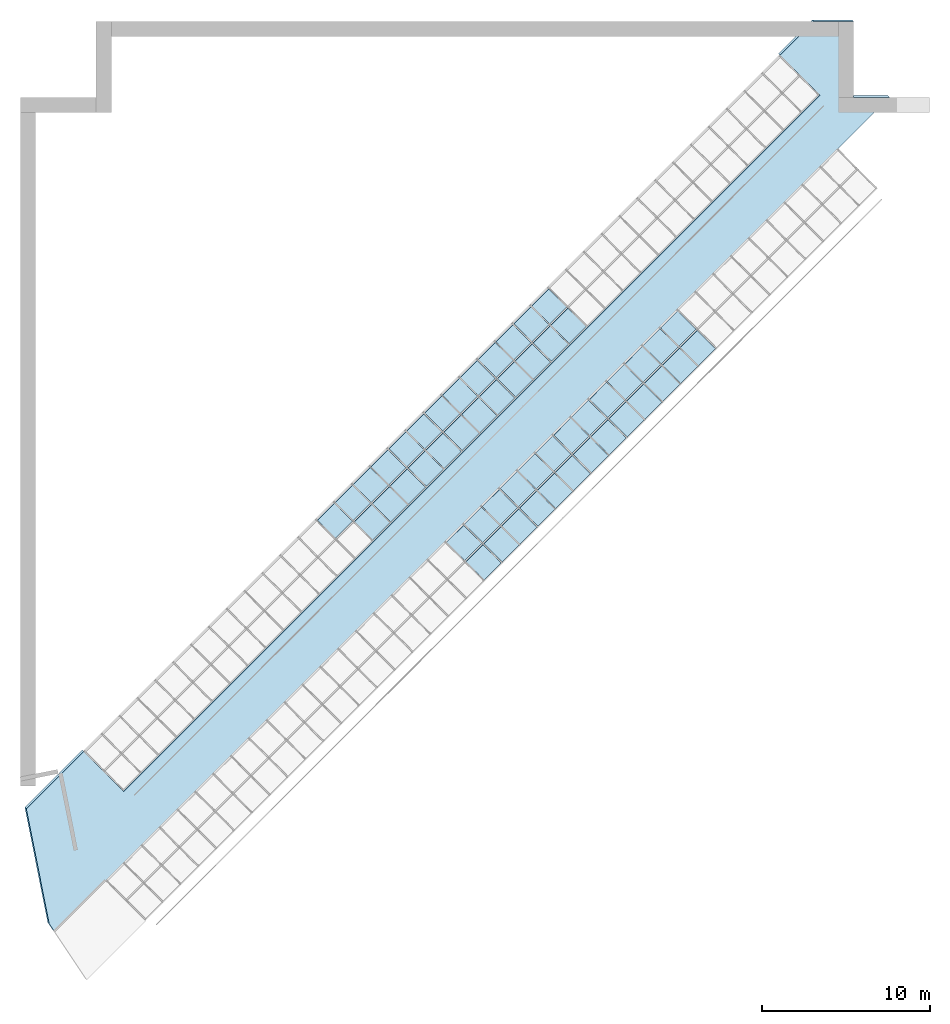
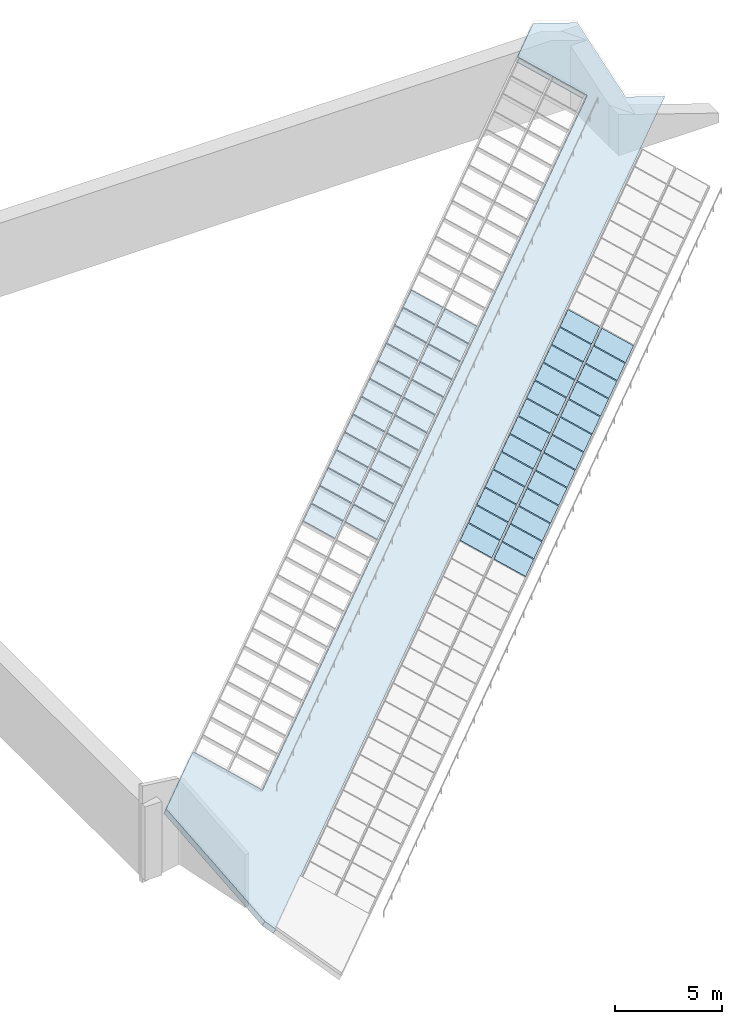
# One storey, part 5 of 7: 51 plates, 1 slab, 2 elements without a shape of their own.
"""IFC4 building model written with IfcOpenShell, lengths in metres."""

import ifcopenshell
import ifcopenshell.guid

model = None  # the IFC model being written
_history = None  # IfcOwnerHistory: only IFC2X3 demands one
_inside = {}  # id of a spatial element -> (the spatial element, [elements in it])
_under = {}  # id of a project, library or spatial element -> (it, [spatial elements below it])
_declared = {}  # id of a project -> (the project, [libraries it declares])
_typed = {}  # id of a type object -> (the type object, [elements of that type])
_made_of = {}  # id of a material, layer set ... -> (it, [elements and type objects made of it])


def new_model(schema):
    """Start an empty IFC model of exactly this schema.

    Asked for "IFC4X3", IfcOpenShell would pick the latest addendum, in which some entities
    have other attributes; the version numbers below select the first issue.
    IFC2X3 requires an IfcOwnerHistory on every rooted entity: one is made here for all.
    """
    global model, _history
    if schema == "IFC4X3":
        model = ifcopenshell.file(schema_version=(4, 3, 0, 0))
    else:
        model = ifcopenshell.file(schema=schema)
    _inside.clear()
    _under.clear()
    _declared.clear()
    _typed.clear()
    _made_of.clear()
    _history = None
    if model.schema == "IFC2X3":
        org = make("IfcOrganization", Name="unknown")
        user = make(
            "IfcPersonAndOrganization",
            ThePerson=make("IfcPerson", FamilyName="unknown"),
            TheOrganization=org,
        )
        app = make(
            "IfcApplication",
            ApplicationDeveloper=org,
            Version="unknown",
            ApplicationFullName="unknown",
            ApplicationIdentifier="unknown",
        )
        _history = make(
            "IfcOwnerHistory",
            OwningUser=user,
            OwningApplication=app,
            ChangeAction="ADDED",
            CreationDate=0,
        )
    return model


def make(cls, **values):
    """One entity of the class cls with the attributes given. An attribute that is None is left unset."""
    return model.create_entity(
        cls, **{name: value for name, value in values.items() if value is not None}
    )


def rooted(cls, **values):
    """An entity with a GlobalId (a new one), such as an element, a storey or a relation."""
    return make(cls, GlobalId=ifcopenshell.guid.new(), OwnerHistory=_history, **values)


def si_unit(unit_type, name, prefix=None):
    """IfcSIUnit, for example si_unit("LENGTHUNIT", "METRE", prefix="MILLI")."""
    return make("IfcSIUnit", UnitType=unit_type, Prefix=prefix, Name=name)


def assignment(units):
    """IfcUnitAssignment: the units of a project."""
    return None if units is None else make("IfcUnitAssignment", Units=units)


def point(xyz):
    """IfcCartesianPoint."""
    return None if xyz is None else make("IfcCartesianPoint", Coordinates=xyz)


def direction(xyz):
    """IfcDirection."""
    return None if xyz is None else make("IfcDirection", DirectionRatios=xyz)


def frame(location, z_axis=None, x_axis=None):
    """IfcAxis2Placement3D, a coordinate frame: its origin and axes. An axis left out is left unset."""
    return make(
        "IfcAxis2Placement3D",
        Location=point(location),
        Axis=direction(z_axis),
        RefDirection=direction(x_axis),
    )


def origin():
    """The frame at (0, 0, 0) with its axes left unset."""
    return frame((0.0, 0.0, 0.0))


def place(relative_to, where):
    """IfcLocalPlacement: puts the frame where relative to a parent placement (None: the world)."""
    return make(
        "IfcLocalPlacement", PlacementRelTo=relative_to, RelativePlacement=where
    )


def context(
    kind, dimensions, precision=None, world=None, true_north=None, identifier=None
):
    """IfcGeometricRepresentationContext, for example the 3D "Model" context."""
    return make(
        "IfcGeometricRepresentationContext",
        ContextIdentifier=identifier,
        ContextType=kind,
        CoordinateSpaceDimension=dimensions,
        Precision=precision,
        WorldCoordinateSystem=world,
        TrueNorth=true_north,
    )


def subcontext(parent, identifier, kind, view, scale=None):
    """IfcGeometricRepresentationSubContext, for example "Body" below "Model"."""
    return make(
        "IfcGeometricRepresentationSubContext",
        ContextIdentifier=identifier,
        ContextType=kind,
        ParentContext=parent,
        TargetScale=scale,
        TargetView=view,
    )


def project(units=None, contexts=None):
    """IfcProject with its units and contexts."""
    return rooted(
        "IfcProject",
        Name="project",
        RepresentationContexts=contexts,
        UnitsInContext=assignment(units),
    )


def spatial(cls, under=None, at=None, **own):
    """A site, building, storey or space (cls), placed at a placement, below another one or the project."""
    s = rooted(cls, ObjectPlacement=at, **own)
    if under is not None:
        _under.setdefault(under.id(), (under, []))[1].append(s)
    return s


def polyline(points):
    """IfcPolyline through the points."""
    return make("IfcPolyline", Points=[point(p) for p in points])


def outline(outer, holes=None, kind="AREA"):
    """IfcArbitraryClosedProfileDef: a profile drawn as a closed curve; with holes, ...WithVoids."""
    if holes is None:
        return make("IfcArbitraryClosedProfileDef", ProfileType=kind, OuterCurve=outer)
    return make(
        "IfcArbitraryProfileDefWithVoids",
        ProfileType=kind,
        OuterCurve=outer,
        InnerCurves=holes,
    )


def extrude(swept, where, along, depth):
    """IfcExtrudedAreaSolid: the profile swept, set in the frame where, extruded along a direction by depth."""
    return make(
        "IfcExtrudedAreaSolid",
        SweptArea=swept,
        Position=where,
        ExtrudedDirection=direction(along),
        Depth=depth,
    )


def shape(context_of_items, identifier, shape_type, items):
    """IfcShapeRepresentation: the items that make up one representation, for example the "Body"."""
    return make(
        "IfcShapeRepresentation",
        ContextOfItems=context_of_items,
        RepresentationIdentifier=identifier,
        RepresentationType=shape_type,
        Items=items,
    )


def material(Name=None, Category=None):
    """IfcMaterial."""
    return make("IfcMaterial", Name=Name, Category=Category)


def layer(
    of_material, thickness, ventilated=None, Name=None, Category=None, Priority=None
):
    """IfcMaterialLayer: one layer of a wall or slab, of a material (None: an air gap)."""
    return make(
        "IfcMaterialLayer",
        Material=of_material,
        LayerThickness=thickness,
        IsVentilated=ventilated,
        Name=Name,
        Category=Category,
        Priority=Priority,
    )


def layer_set(layers, Name=None):
    """IfcMaterialLayerSet."""
    return make("IfcMaterialLayerSet", MaterialLayers=layers, LayerSetName=Name)


def made_of(thing, what):
    """Note that an element or type object is made of a material, layer set ...; save() writes the relation."""
    if what is not None:
        _made_of.setdefault(what.id(), (what, []))[1].append(thing)
    return thing


def type_object(cls, material=None, **own):
    """A type object (cls), such as IfcWallType, which elements share."""
    return made_of(rooted(cls, **own), material)


def element(
    cls,
    number,
    at=None,
    inside=None,
    cuts=None,
    type_object=None,
    material=None,
    context=None,
    identifier="Body",
    shape_type=None,
    held_by="IfcProductDefinitionShape",
    body=None,
    shapes=None,
    **own,
):
    """One element of the class cls, such as IfcWall. Its Tag is "e" and its number.

    at: its placement. inside: the storey or other place that contains it. cuts: it is an
    opening in that element (IfcRelVoidsElement). A single representation is given by context,
    identifier, shape_type and body (its items); several are given by shapes. held_by: the class
    of the entity that holds the representations. save() writes the other relations.
    """
    e = rooted(cls, Tag="e%d" % number, ObjectPlacement=at, **own)
    if body is not None:
        shapes = [shape(context, identifier, shape_type, body)]
    if shapes is not None:
        e.Representation = make(held_by, Representations=shapes)
    if inside is not None:
        _inside.setdefault(inside.id(), (inside, []))[1].append(e)
    if cuts is not None:
        rooted(
            "IfcRelVoidsElement", RelatingBuildingElement=cuts, RelatedOpeningElement=e
        )
    if type_object is not None:
        _typed.setdefault(type_object.id(), (type_object, []))[1].append(e)
    return made_of(e, material)


def aggregate(whole, parts):
    """IfcRelAggregates: a whole, such as a stair, and the parts it consists of."""
    return rooted("IfcRelAggregates", RelatingObject=whole, RelatedObjects=parts)


def save(model, path):
    """Write the relations noted so far, then the file.

    IfcRelAggregates (storeys below a building ...), IfcRelContainedInSpatialStructure (elements
    in a storey), IfcRelDefinesByType, IfcRelAssociatesMaterial and IfcRelDeclares: one each for
    every whole, place, type object, material and project.
    """
    for whole, parts in _under.values():
        aggregate(whole, parts)
    for where, things in _inside.values():
        rooted(
            "IfcRelContainedInSpatialStructure",
            RelatedElements=things,
            RelatingStructure=where,
        )
    for kind, things in _typed.values():
        rooted("IfcRelDefinesByType", RelatedObjects=things, RelatingType=kind)
    for what, things in _made_of.values():
        rooted("IfcRelAssociatesMaterial", RelatedObjects=things, RelatingMaterial=what)
    for by, libraries in _declared.values():
        rooted("IfcRelDeclares", RelatingContext=by, RelatedDefinitions=libraries)
    model.write(path)


model = new_model("IFC4")

# Units and contexts
model_context = context("Model", 3, precision=1e-05, world=origin(), true_north=direction((0.0, 1.0)))
body_context = subcontext(model_context, "Body", "Model", "MODEL_VIEW")
ifc_project = project(units=[si_unit("LENGTHUNIT", "METRE"), si_unit("AREAUNIT", "SQUARE_METRE"), si_unit("VOLUMEUNIT", "CUBIC_METRE"), si_unit("PLANEANGLEUNIT", "RADIAN"), si_unit("MASSUNIT", "GRAM", prefix="KILO")], contexts=[model_context])

# Site, building, storey
site_placement = place(None, origin())
site = spatial("IfcSite", under=ifc_project, at=site_placement, CompositionType="ELEMENT")
building_placement = place(site_placement, origin())
building = spatial("IfcBuilding", under=site, at=building_placement, Name="Hunhe Ridgeline Campus", CompositionType="ELEMENT")
storey_placement = place(building_placement, frame((0.0, 0.0, 315.60009765625)))
storey = spatial("IfcBuildingStorey", under=building, at=storey_placement, Name="L81 Crown", CompositionType="ELEMENT", Elevation=315.60009765625)

# Slab
ifc_material_1 = material(Name="Concrete C40", Category="concrete")
ifc_layer_1 = layer(ifc_material_1, 0.300048828125)
ifc_layer_set_1 = layer_set([ifc_layer_1], Name="Roof slab 300 Concrete C40")
slab_type = type_object("IfcSlabType", Name="Roof slab 300 Concrete C40", PredefinedType="ROOF", material=ifc_layer_set_1)
slab_placement = place(storey_placement, frame((1.712646484375, 45.3896484375, 2.066162109375), z_axis=(0.301530888785, -0.301532361675, 0.904520512742), x_axis=(0.504366711031, -0.754629699469, -0.4197001757)))
element("IfcSlab", 1, at=slab_placement, inside=storey, type_object=slab_type, Name="Crown roof slab 6", PredefinedType="ROOF", context=body_context, shape_type="SweptSolid", body=[
    extrude(outline(polyline([(0.0, 0.0), (0.6340985825008505, 1.734723475976807e-17), (-11.776159513075957, 69.02243832171436), (-13.142935333670499, 67.25262568435161), (-17.16831924483107, 69.76186548050049), (-18.700846353291304, 67.77737725160658), (-18.20123686685237, 64.99868685716864), (-14.540891561956535, 65.65681819902039), (-4.188397955357822, 8.079981745276344), (-7.849050632424188, 7.421795137647047), (-6.996224794205057, 2.679495046483133), (0.0, 0.0)])), origin(), (0.0, 0.0, -1.0), 0.300048828125),
])

# Curtain wall, plates
ifc_material_2 = material(Name="Aluminium 6063", Category="aluminium")
curtain_wall_type = type_object("IfcCurtainWallType", Name="Curtain wall CW-6", PredefinedType="NOTDEFINED", material=ifc_material_2)
curtain_wall_1_placement = place(storey_placement, origin())
curtain_wall_1 = element("IfcCurtainWall", 2, at=curtain_wall_1_placement, inside=storey, type_object=curtain_wall_type, Name="Rooflight 3", PredefinedType="NOTDEFINED")
ifc_material_3 = material(Name="Low-e laminated glass", Category="glass")
ifc_layer_2 = layer(ifc_material_3, 0.0400390625)
ifc_layer_set_2 = layer_set([ifc_layer_2], Name="Rooflight glass panel 40 low-e laminated")
plate_type = type_object("IfcPlateType", Name="Rooflight glass panel 40 low-e laminated", PredefinedType="CURTAIN_PANEL", material=ifc_layer_set_2)
plate_1_placement = place(storey_placement, frame((41.301513671875, 79.564208984375, 0.261474609375), z_axis=(0.301479245877, -0.301515643227, 0.90454329979), x_axis=(-0.639608700975, 0.639608701766, 0.426381775248)))
plate_1 = element("IfcPlate", 3, at=plate_1_placement, type_object=plate_type, Name="Rooflight panel 1.10", PredefinedType="CURTAIN_PANEL", context=body_context, shape_type="SweptSolid", body=[
    extrude(outline(polyline([(0.0, 0.0), (1.6936340105324015, -2.110128478199913e-17), (1.6937901642007342, 1.4299232115205895), (-7.998715023660452e-10, 1.4300958431175164), (0.0, 0.0)])), origin(), (0.0, 0.0, -1.0), 0.0400390625),
])
plate_2_placement = place(storey_placement, frame((40.240966796875, 78.503662109375, 0.261474609375), z_axis=(0.301515643227, -0.301479245877, 0.90454329979), x_axis=(-0.639680766185, 0.639536628329, 0.426381775406)))
plate_2 = element("IfcPlate", 4, at=plate_2_placement, type_object=plate_type, Name="Rooflight panel 1.11", PredefinedType="CURTAIN_PANEL", context=body_context, shape_type="SweptSolid", body=[
    extrude(outline(polyline([(0.0, 0.0), (1.6937901737979375, 9.269928574751063e-17), (1.6937797583282785, 1.4299232200089778), (0.0001457565923979054, 1.430095835689698), (0.0, 0.0)])), origin(), (0.0, 0.0, -1.0), 0.0400390625),
])
plate_3_placement = place(storey_placement, frame((39.18017578125, 77.44287109375, 0.261474609375), z_axis=(0.301474942954, -0.301547745403, 0.904534032535), x_axis=(-0.639602149067, 0.639602149067, 0.426401432711)))
plate_3 = element("IfcPlate", 5, at=plate_3_placement, type_object=plate_type, Name="Rooflight panel 1.12", PredefinedType="CURTAIN_PANEL", context=body_context, shape_type="SweptSolid", body=[
    extrude(outline(polyline([(0.0, 0.0), (1.6936340109323371, -3.6469850576981155e-17), (1.6937901638007615, 1.4299232119943701), (0.00015615286842451948, 1.4299232119943701), (0.0, 0.0)])), origin(), (0.0, 0.0, -1.0), 0.0400390625),
])
plate_4_placement = place(storey_placement, frame((38.11962890625, 76.38232421875, 0.261474609375), z_axis=(0.301511344578, -0.301511344578, 0.904534033733), x_axis=(-0.639602149067, 0.639602149067, 0.426401432711)))
plate_4 = element("IfcPlate", 6, at=plate_4_placement, type_object=plate_type, Name="Rooflight panel 1.13", PredefinedType="CURTAIN_PANEL", context=body_context, shape_type="SweptSolid", body=[
    extrude(outline(polyline([(0.0, 0.0), (1.6936340109323371, 0.0), (1.693634010932337, 1.4300958435911524), (0.0, 1.4300958435911524), (0.0, 0.0)])), origin(), (0.0, 0.0, -1.0), 0.0400390625),
])
plate_5_placement = place(storey_placement, frame((37.058837890625, 75.321533203125, 0.261474609375), z_axis=(0.301474942954, -0.301547745403, 0.904534032535), x_axis=(-0.639602149067, 0.639602149067, 0.426401432711)))
plate_5 = element("IfcPlate", 7, at=plate_5_placement, type_object=plate_type, Name="Rooflight panel 1.14", PredefinedType="CURTAIN_PANEL", context=body_context, shape_type="SweptSolid", body=[
    extrude(outline(polyline([(0.0, 0.0), (1.6936340109323371, -3.6469850576981155e-17), (1.6937901638007615, 1.4299232119943701), (0.00015615286842451948, 1.4299232119943701), (0.0, 0.0)])), origin(), (0.0, 0.0, -1.0), 0.0400390625),
])
plate_6_placement = place(storey_placement, frame((35.998291015625, 74.260986328125, 0.261474609375), z_axis=(0.301511344578, -0.301511344578, 0.904534033733), x_axis=(-0.639602149067, 0.639602149067, 0.426401432711)))
plate_6 = element("IfcPlate", 8, at=plate_6_placement, type_object=plate_type, Name="Rooflight panel 1.15", PredefinedType="CURTAIN_PANEL", context=body_context, shape_type="SweptSolid", body=[
    extrude(outline(polyline([(0.0, 0.0), (1.6936340109323371, 0.0), (1.693634010932337, 1.4300958435911524), (0.0, 1.4300958435911524), (0.0, 0.0)])), origin(), (0.0, 0.0, -1.0), 0.0400390625),
])
plate_7_placement = place(storey_placement, frame((34.9375, 73.2001953125, 0.261474609375), z_axis=(0.301474942954, -0.301547745403, 0.904534032535), x_axis=(-0.639602149067, 0.639602149067, 0.426401432711)))
plate_7 = element("IfcPlate", 9, at=plate_7_placement, type_object=plate_type, Name="Rooflight panel 1.16", PredefinedType="CURTAIN_PANEL", context=body_context, shape_type="SweptSolid", body=[
    extrude(outline(polyline([(0.0, 0.0), (1.6936340109323371, -3.6469850576981155e-17), (1.6937901638007615, 1.4299232119943701), (0.00015615286842451948, 1.4299232119943701), (0.0, 0.0)])), origin(), (0.0, 0.0, -1.0), 0.0400390625),
])
plate_8_placement = place(storey_placement, frame((33.876953125, 72.1396484375, 0.261474609375), z_axis=(0.301511344578, -0.301511344578, 0.904534033733), x_axis=(-0.639602149067, 0.639602149067, 0.426401432711)))
plate_8 = element("IfcPlate", 10, at=plate_8_placement, type_object=plate_type, Name="Rooflight panel 1.17", PredefinedType="CURTAIN_PANEL", context=body_context, shape_type="SweptSolid", body=[
    extrude(outline(polyline([(0.0, 0.0), (1.6936340109323371, 0.0), (1.693634010932337, 1.4300958435911524), (0.0, 1.4300958435911524), (0.0, 0.0)])), origin(), (0.0, 0.0, -1.0), 0.0400390625),
])
plate_9_placement = place(storey_placement, frame((32.816162109375, 71.078857421875, 0.261474609375), z_axis=(0.301483547543, -0.301483547543, 0.904552564046), x_axis=(-0.63954317933, 0.639687317978, 0.426362119554)))
plate_9 = element("IfcPlate", 11, at=plate_9_placement, type_object=plate_type, Name="Rooflight panel 1.18", PredefinedType="CURTAIN_PANEL", context=body_context, shape_type="SweptSolid", body=[
    extrude(outline(polyline([(0.0, 0.0), (1.6937901741978365, -3.077778917143226e-17), (1.6936444168056752, 1.4300958361632525), (-0.00014572220206188202, 1.4297505691820445), (0.0, 0.0)])), origin(), (0.0, 0.0, -1.0), 0.0400390625),
])
plate_10_placement = place(storey_placement, frame((31.755615234375, 70.018310546875, 0.261474609375), z_axis=(0.301511344578, -0.301511344578, 0.904534033733), x_axis=(-0.639602149067, 0.639602149067, 0.426401432711)))
plate_10 = element("IfcPlate", 12, at=plate_10_placement, type_object=plate_type, Name="Rooflight panel 1.19", PredefinedType="CURTAIN_PANEL", context=body_context, shape_type="SweptSolid", body=[
    extrude(outline(polyline([(0.0, 0.0), (1.6936340109323371, 0.0), (1.693634010932337, 1.4300958435911524), (0.0, 1.4300958435911524), (0.0, 0.0)])), origin(), (0.0, 0.0, -1.0), 0.0400390625),
])
plate_11_placement = place(storey_placement, frame((30.69482421875, 68.957763671875, 0.261474609375), z_axis=(0.301547745403, -0.301474942954, 0.904534032535), x_axis=(-0.639602149067, 0.639602149067, 0.426401432711)))
plate_11 = element("IfcPlate", 13, at=plate_11_placement, type_object=plate_type, Name="Rooflight panel 1.20", PredefinedType="CURTAIN_PANEL", context=body_context, shape_type="SweptSolid", body=[
    extrude(outline(polyline([(0.0, 0.0), (1.6936340109323371, 3.6469850576981155e-17), (1.6934778580639125, 1.4299232119943703), (-0.00015615286842451948, 1.4299232119943701), (0.0, 0.0)])), origin(), (0.0, 0.0, -1.0), 0.0400390625),
])
plate_12_placement = place(storey_placement, frame((29.63427734375, 67.89697265625, 0.261474609375), z_axis=(0.301511344578, -0.301511344578, 0.904534033733), x_axis=(-0.639602149067, 0.639602149067, 0.426401432711)))
plate_12 = element("IfcPlate", 14, at=plate_12_placement, type_object=plate_type, Name="Rooflight panel 1.21", PredefinedType="CURTAIN_PANEL", context=body_context, shape_type="SweptSolid", body=[
    extrude(outline(polyline([(0.0, 0.0), (1.6936340109323371, 0.0), (1.693634010932337, 1.4300958435911524), (0.0, 1.4300958435911524), (0.0, 0.0)])), origin(), (0.0, 0.0, -1.0), 0.0400390625),
])
plate_13_placement = place(storey_placement, frame((28.573486328125, 66.83642578125, 0.261474609375), z_axis=(0.301547745403, -0.301474942954, 0.904534032535), x_axis=(-0.639602149067, 0.639602149067, 0.426401432711)))
plate_13 = element("IfcPlate", 15, at=plate_13_placement, type_object=plate_type, Name="Rooflight panel 1.22", PredefinedType="CURTAIN_PANEL", context=body_context, shape_type="SweptSolid", body=[
    extrude(outline(polyline([(0.0, 0.0), (1.6936340109323371, 3.6469850576981155e-17), (1.6934778580639125, 1.4299232119943703), (-0.00015615286842451948, 1.4299232119943701), (0.0, 0.0)])), origin(), (0.0, 0.0, -1.0), 0.0400390625),
])
plate_14_placement = place(storey_placement, frame((40.1474609375, 80.71826171875, 1.03076171875), z_axis=(0.301515643227, -0.301479245877, 0.90454329979), x_axis=(-0.639608701766, 0.639608700975, 0.426381775248)))
plate_14 = element("IfcPlate", 16, at=plate_14_placement, type_object=plate_type, Name="Rooflight panel 2.10", PredefinedType="CURTAIN_PANEL", context=body_context, shape_type="SweptSolid", body=[
    extrude(outline(polyline([(0.0, 0.0), (1.6936340105324015, 2.110128478199913e-17), (1.6936340113322728, 1.4300958431175164), (-0.00015615366833288125, 1.4299232115205898), (0.0, 0.0)])), origin(), (0.0, 0.0, -1.0), 0.0400390625),
])
plate_15_placement = place(storey_placement, frame((39.0869140625, 79.657470703125, 1.03076171875), z_axis=(0.301479245877, -0.301515643227, 0.90454329979), x_axis=(-0.639536628329, 0.639680766185, 0.426381775406)))
plate_15 = element("IfcPlate", 17, at=plate_15_placement, type_object=plate_type, Name="Rooflight panel 2.11", PredefinedType="CURTAIN_PANEL", context=body_context, shape_type="SweptSolid", body=[
    extrude(outline(polyline([(0.0, 0.0), (1.6937901737979375, -9.269928574751063e-17), (1.6936444172055396, 1.4300958356896978), (1.041546965907525e-05, 1.4299232200089778), (0.0, 0.0)])), origin(), (0.0, 0.0, -1.0), 0.0400390625),
])
plate_16_placement = place(storey_placement, frame((38.026123046875, 78.596923828125, 1.03076171875), z_axis=(0.301547745403, -0.301474942954, 0.904534032535), x_axis=(-0.639602149067, 0.639602149067, 0.426401432711)))
plate_16 = element("IfcPlate", 18, at=plate_16_placement, type_object=plate_type, Name="Rooflight panel 2.12", PredefinedType="CURTAIN_PANEL", context=body_context, shape_type="SweptSolid", body=[
    extrude(outline(polyline([(0.0, 0.0), (1.6936340109323371, 3.6469850576981155e-17), (1.6934778580639125, 1.4299232119943703), (-0.00015615286842451948, 1.4299232119943701), (0.0, 0.0)])), origin(), (0.0, 0.0, -1.0), 0.0400390625),
])
plate_17_placement = place(storey_placement, frame((36.965576171875, 77.536376953125, 1.03076171875), z_axis=(0.301511344578, -0.301511344578, 0.904534033733), x_axis=(-0.639602149067, 0.639602149067, 0.426401432711)))
plate_17 = element("IfcPlate", 19, at=plate_17_placement, type_object=plate_type, Name="Rooflight panel 2.13", PredefinedType="CURTAIN_PANEL", context=body_context, shape_type="SweptSolid", body=[
    extrude(outline(polyline([(0.0, 0.0), (1.6936340109323371, 0.0), (1.693634010932337, 1.4300958435911524), (0.0, 1.4300958435911524), (0.0, 0.0)])), origin(), (0.0, 0.0, -1.0), 0.0400390625),
])
plate_18_placement = place(storey_placement, frame((35.90478515625, 76.4755859375, 1.03076171875), z_axis=(0.301547745403, -0.301474942954, 0.904534032535), x_axis=(-0.639602149067, 0.639602149067, 0.426401432711)))
plate_18 = element("IfcPlate", 20, at=plate_18_placement, type_object=plate_type, Name="Rooflight panel 2.14", PredefinedType="CURTAIN_PANEL", context=body_context, shape_type="SweptSolid", body=[
    extrude(outline(polyline([(0.0, 0.0), (1.6936340109323371, 3.6469850576981155e-17), (1.6934778580639125, 1.4299232119943703), (-0.00015615286842451948, 1.4299232119943701), (0.0, 0.0)])), origin(), (0.0, 0.0, -1.0), 0.0400390625),
])
plate_19_placement = place(storey_placement, frame((34.84423828125, 75.4150390625, 1.03076171875), z_axis=(0.301511344578, -0.301511344578, 0.904534033733), x_axis=(-0.639602149067, 0.639602149067, 0.426401432711)))
plate_19 = element("IfcPlate", 21, at=plate_19_placement, type_object=plate_type, Name="Rooflight panel 2.15", PredefinedType="CURTAIN_PANEL", context=body_context, shape_type="SweptSolid", body=[
    extrude(outline(polyline([(0.0, 0.0), (1.6936340109323371, 0.0), (1.693634010932337, 1.4300958435911524), (0.0, 1.4300958435911524), (0.0, 0.0)])), origin(), (0.0, 0.0, -1.0), 0.0400390625),
])
plate_20_placement = place(storey_placement, frame((33.783447265625, 74.354248046875, 1.03076171875), z_axis=(0.301547745403, -0.301474942954, 0.904534032535), x_axis=(-0.639602149067, 0.639602149067, 0.426401432711)))
plate_20 = element("IfcPlate", 22, at=plate_20_placement, type_object=plate_type, Name="Rooflight panel 2.16", PredefinedType="CURTAIN_PANEL", context=body_context, shape_type="SweptSolid", body=[
    extrude(outline(polyline([(0.0, 0.0), (1.6936340109323371, 3.6469850576981155e-17), (1.6934778580639125, 1.4299232119943703), (-0.00015615286842451948, 1.4299232119943701), (0.0, 0.0)])), origin(), (0.0, 0.0, -1.0), 0.0400390625),
])
plate_21_placement = place(storey_placement, frame((32.722900390625, 73.293701171875, 1.03076171875), z_axis=(0.301511344578, -0.301511344578, 0.904534033733), x_axis=(-0.639602149067, 0.639602149067, 0.426401432711)))
plate_21 = element("IfcPlate", 23, at=plate_21_placement, type_object=plate_type, Name="Rooflight panel 2.17", PredefinedType="CURTAIN_PANEL", context=body_context, shape_type="SweptSolid", body=[
    extrude(outline(polyline([(0.0, 0.0), (1.6936340109323371, 0.0), (1.693634010932337, 1.4300958435911524), (0.0, 1.4300958435911524), (0.0, 0.0)])), origin(), (0.0, 0.0, -1.0), 0.0400390625),
])
plate_22_placement = place(storey_placement, frame((31.662353515625, 72.23291015625, 1.03076171875), z_axis=(0.301483547543, -0.301483547543, 0.904552564046), x_axis=(-0.639687317978, 0.63954317933, 0.426362119554)))
plate_22 = element("IfcPlate", 24, at=plate_22_placement, type_object=plate_type, Name="Rooflight panel 2.18", PredefinedType="CURTAIN_PANEL", context=body_context, shape_type="SweptSolid", body=[
    extrude(outline(polyline([(0.0, 0.0), (1.6937901741978365, 3.077778917143226e-17), (1.6939358963998983, 1.4297505691820447), (0.00014575739216138306, 1.4300958361632525), (0.0, 0.0)])), origin(), (0.0, 0.0, -1.0), 0.0400390625),
])
plate_23_placement = place(storey_placement, frame((30.6015625, 71.17236328125, 1.03076171875), z_axis=(0.301511344578, -0.301511344578, 0.904534033733), x_axis=(-0.639602149067, 0.639602149067, 0.426401432711)))
plate_23 = element("IfcPlate", 25, at=plate_23_placement, type_object=plate_type, Name="Rooflight panel 2.19", PredefinedType="CURTAIN_PANEL", context=body_context, shape_type="SweptSolid", body=[
    extrude(outline(polyline([(0.0, 0.0), (1.6936340109323371, 0.0), (1.693634010932337, 1.4300958435911524), (0.0, 1.4300958435911524), (0.0, 0.0)])), origin(), (0.0, 0.0, -1.0), 0.0400390625),
])
plate_24_placement = place(storey_placement, frame((29.541015625, 70.111572265625, 1.03076171875), z_axis=(0.301474942954, -0.301547745403, 0.904534032535), x_axis=(-0.639602149067, 0.639602149067, 0.426401432711)))
plate_24 = element("IfcPlate", 26, at=plate_24_placement, type_object=plate_type, Name="Rooflight panel 2.20", PredefinedType="CURTAIN_PANEL", context=body_context, shape_type="SweptSolid", body=[
    extrude(outline(polyline([(0.0, 0.0), (1.6936340109323371, -3.6469850576981155e-17), (1.6937901638007615, 1.4299232119943701), (0.00015615286842451948, 1.4299232119943701), (0.0, 0.0)])), origin(), (0.0, 0.0, -1.0), 0.0400390625),
])
plate_25_placement = place(storey_placement, frame((28.480224609375, 69.051025390625, 1.03076171875), z_axis=(0.301511344578, -0.301511344578, 0.904534033733), x_axis=(-0.639602149067, 0.639602149067, 0.426401432711)))
plate_25 = element("IfcPlate", 27, at=plate_25_placement, type_object=plate_type, Name="Rooflight panel 2.21", PredefinedType="CURTAIN_PANEL", context=body_context, shape_type="SweptSolid", body=[
    extrude(outline(polyline([(0.0, 0.0), (1.6936340109323371, 0.0), (1.693634010932337, 1.4300958435911524), (0.0, 1.4300958435911524), (0.0, 0.0)])), origin(), (0.0, 0.0, -1.0), 0.0400390625),
])
plate_26_placement = place(storey_placement, frame((27.419677734375, 67.990234375, 1.03076171875), z_axis=(0.301474942954, -0.301547745403, 0.904534032535), x_axis=(-0.639602149067, 0.639602149067, 0.426401432711)))
plate_26 = element("IfcPlate", 28, at=plate_26_placement, type_object=plate_type, Name="Rooflight panel 2.22", PredefinedType="CURTAIN_PANEL", context=body_context, shape_type="SweptSolid", body=[
    extrude(outline(polyline([(0.0, 0.0), (1.6936340109323371, -3.6469850576981155e-17), (1.6937901638007615, 1.4299232119943701), (0.00015615286842451948, 1.4299232119943701), (0.0, 0.0)])), origin(), (0.0, 0.0, -1.0), 0.0400390625),
])
aggregate(curtain_wall_1, [plate_1, plate_2, plate_3, plate_4, plate_5, plate_6, plate_7, plate_8, plate_9, plate_10, plate_11, plate_12, plate_13, plate_14, plate_15, plate_16, plate_17, plate_18, plate_19, plate_20, plate_21, plate_22, plate_23, plate_24, plate_25, plate_26])

curtain_wall_2_placement = place(storey_placement, origin())
curtain_wall_2 = element("IfcCurtainWall", 29, at=curtain_wall_2_placement, inside=storey, type_object=curtain_wall_type, Name="Rooflight 4", PredefinedType="NOTDEFINED")
plate_27_placement = place(storey_placement, frame((33.61962890625, 80.88232421875, 3.26171875), z_axis=(0.301511344578, -0.301511344578, 0.904534033733), x_axis=(-0.639602149067, 0.639602149067, 0.426401432711)))
plate_27 = element("IfcPlate", 30, at=plate_27_placement, type_object=plate_type, Name="Rooflight panel 1.14", PredefinedType="CURTAIN_PANEL", context=body_context, shape_type="SweptSolid", body=[
    extrude(outline(polyline([(0.0, 0.0), (1.6936340109323371, 0.0), (1.693634010932337, 1.4300958435911524), (0.0, 1.4300958435911524), (0.0, 0.0)])), origin(), (0.0, 0.0, -1.0), 0.0400390625),
])
plate_28_placement = place(storey_placement, frame((32.558837890625, 79.821533203125, 3.26171875), z_axis=(0.301474942954, -0.301547745403, 0.904534032535), x_axis=(-0.639602149067, 0.639602149067, 0.426401432711)))
plate_28 = element("IfcPlate", 31, at=plate_28_placement, type_object=plate_type, Name="Rooflight panel 1.15", PredefinedType="CURTAIN_PANEL", context=body_context, shape_type="SweptSolid", body=[
    extrude(outline(polyline([(0.0, 0.0), (1.6936340109323371, -3.6469850576981155e-17), (1.6937901638007615, 1.4299232119943701), (0.00015615286842451948, 1.4299232119943701), (0.0, 0.0)])), origin(), (0.0, 0.0, -1.0), 0.0400390625),
])
plate_29_placement = place(storey_placement, frame((31.498291015625, 78.760986328125, 3.26171875), z_axis=(0.301511344578, -0.301511344578, 0.904534033733), x_axis=(-0.639602149067, 0.639602149067, 0.426401432711)))
plate_29 = element("IfcPlate", 32, at=plate_29_placement, type_object=plate_type, Name="Rooflight panel 1.16", PredefinedType="CURTAIN_PANEL", context=body_context, shape_type="SweptSolid", body=[
    extrude(outline(polyline([(0.0, 0.0), (1.6936340109323371, 0.0), (1.693634010932337, 1.4300958435911524), (0.0, 1.4300958435911524), (0.0, 0.0)])), origin(), (0.0, 0.0, -1.0), 0.0400390625),
])
plate_30_placement = place(storey_placement, frame((30.4375, 77.7001953125, 3.26171875), z_axis=(0.301474942954, -0.301547745403, 0.904534032535), x_axis=(-0.639602149067, 0.639602149067, 0.426401432711)))
plate_30 = element("IfcPlate", 33, at=plate_30_placement, type_object=plate_type, Name="Rooflight panel 1.17", PredefinedType="CURTAIN_PANEL", context=body_context, shape_type="SweptSolid", body=[
    extrude(outline(polyline([(0.0, 0.0), (1.6936340109323371, -3.6469850576981155e-17), (1.6937901638007615, 1.4299232119943701), (0.00015615286842451948, 1.4299232119943701), (0.0, 0.0)])), origin(), (0.0, 0.0, -1.0), 0.0400390625),
])
plate_31_placement = place(storey_placement, frame((29.376953125, 76.6396484375, 3.26171875), z_axis=(0.301511344578, -0.301511344578, 0.904534033733), x_axis=(-0.639602149067, 0.639602149067, 0.426401432711)))
plate_31 = element("IfcPlate", 34, at=plate_31_placement, type_object=plate_type, Name="Rooflight panel 1.18", PredefinedType="CURTAIN_PANEL", context=body_context, shape_type="SweptSolid", body=[
    extrude(outline(polyline([(0.0, 0.0), (1.6936340109323371, 0.0), (1.693634010932337, 1.4300958435911524), (0.0, 1.4300958435911524), (0.0, 0.0)])), origin(), (0.0, 0.0, -1.0), 0.0400390625),
])
plate_32_placement = place(storey_placement, frame((28.316162109375, 75.578857421875, 3.26171875), z_axis=(0.301483547543, -0.301483547543, 0.904552564046), x_axis=(-0.63954317933, 0.639687317978, 0.426362119554)))
plate_32 = element("IfcPlate", 35, at=plate_32_placement, type_object=plate_type, Name="Rooflight panel 1.19", PredefinedType="CURTAIN_PANEL", context=body_context, shape_type="SweptSolid", body=[
    extrude(outline(polyline([(0.0, 0.0), (1.6937901741978365, -3.077778917143226e-17), (1.6936444168056752, 1.4300958361632525), (-0.00014572220206188202, 1.4297505691820445), (0.0, 0.0)])), origin(), (0.0, 0.0, -1.0), 0.0400390625),
])
plate_33_placement = place(storey_placement, frame((27.255615234375, 74.518310546875, 3.26171875), z_axis=(0.301511344578, -0.301511344578, 0.904534033733), x_axis=(-0.639602149067, 0.639602149067, 0.426401432711)))
plate_33 = element("IfcPlate", 36, at=plate_33_placement, type_object=plate_type, Name="Rooflight panel 1.20", PredefinedType="CURTAIN_PANEL", context=body_context, shape_type="SweptSolid", body=[
    extrude(outline(polyline([(0.0, 0.0), (1.6936340109323371, 0.0), (1.693634010932337, 1.4300958435911524), (0.0, 1.4300958435911524), (0.0, 0.0)])), origin(), (0.0, 0.0, -1.0), 0.0400390625),
])
plate_34_placement = place(storey_placement, frame((26.19482421875, 73.457763671875, 3.26171875), z_axis=(0.301547745403, -0.301474942954, 0.904534032535), x_axis=(-0.639602149067, 0.639602149067, 0.426401432711)))
plate_34 = element("IfcPlate", 37, at=plate_34_placement, type_object=plate_type, Name="Rooflight panel 1.21", PredefinedType="CURTAIN_PANEL", context=body_context, shape_type="SweptSolid", body=[
    extrude(outline(polyline([(0.0, 0.0), (1.6936340109323371, 3.6469850576981155e-17), (1.6934778580639125, 1.4299232119943703), (-0.00015615286842451948, 1.4299232119943701), (0.0, 0.0)])), origin(), (0.0, 0.0, -1.0), 0.0400390625),
])
plate_35_placement = place(storey_placement, frame((25.13427734375, 72.39697265625, 3.26171875), z_axis=(0.301511344578, -0.301511344578, 0.904534033733), x_axis=(-0.639602149067, 0.639602149067, 0.426401432711)))
plate_35 = element("IfcPlate", 38, at=plate_35_placement, type_object=plate_type, Name="Rooflight panel 1.22", PredefinedType="CURTAIN_PANEL", context=body_context, shape_type="SweptSolid", body=[
    extrude(outline(polyline([(0.0, 0.0), (1.6936340109323371, 0.0), (1.693634010932337, 1.4300958435911524), (0.0, 1.4300958435911524), (0.0, 0.0)])), origin(), (0.0, 0.0, -1.0), 0.0400390625),
])
plate_36_placement = place(storey_placement, frame((24.073486328125, 71.33642578125, 3.26171875), z_axis=(0.301547745403, -0.301474942954, 0.904534032535), x_axis=(-0.639602149067, 0.639602149067, 0.426401432711)))
plate_36 = element("IfcPlate", 39, at=plate_36_placement, type_object=plate_type, Name="Rooflight panel 1.23", PredefinedType="CURTAIN_PANEL", context=body_context, shape_type="SweptSolid", body=[
    extrude(outline(polyline([(0.0, 0.0), (1.6936340109323371, 3.6469850576981155e-17), (1.6934778580639125, 1.4299232119943703), (-0.00015615286842451948, 1.4299232119943701), (0.0, 0.0)])), origin(), (0.0, 0.0, -1.0), 0.0400390625),
])
plate_37_placement = place(storey_placement, frame((23.012939453125, 70.275634765625, 3.26171875), z_axis=(0.301479245877, -0.301515643227, 0.90454329979), x_axis=(-0.639608700975, 0.639608701766, 0.426381775248)))
plate_37 = element("IfcPlate", 40, at=plate_37_placement, type_object=plate_type, Name="Rooflight panel 1.24", PredefinedType="CURTAIN_PANEL", context=body_context, shape_type="SweptSolid", body=[
    extrude(outline(polyline([(0.0, 0.0), (1.6936340105324015, -2.110128478199913e-17), (1.6937901642007342, 1.4299232115205895), (-7.998715023660452e-10, 1.4300958431175164), (0.0, 0.0)])), origin(), (0.0, 0.0, -1.0), 0.0400390625),
])
plate_38_placement = place(storey_placement, frame((21.9521484375, 69.215087890625, 3.26171875), z_axis=(0.301547745403, -0.301474942954, 0.904534032535), x_axis=(-0.639602149067, 0.639602149067, 0.426401432711)))
plate_38 = element("IfcPlate", 41, at=plate_38_placement, type_object=plate_type, Name="Rooflight panel 1.25", PredefinedType="CURTAIN_PANEL", context=body_context, shape_type="SweptSolid", body=[
    extrude(outline(polyline([(0.0, 0.0), (1.6936340109323371, 3.6469850576981155e-17), (1.6934778580639125, 1.4299232119943703), (-0.00015615286842451948, 1.4299232119943701), (0.0, 0.0)])), origin(), (0.0, 0.0, -1.0), 0.0400390625),
])
plate_39_placement = place(storey_placement, frame((32.465576171875, 82.036376953125, 4.031005859375), z_axis=(0.301511344578, -0.301511344578, 0.904534033733), x_axis=(-0.639602149067, 0.639602149067, 0.426401432711)))
plate_39 = element("IfcPlate", 42, at=plate_39_placement, type_object=plate_type, Name="Rooflight panel 2.14", PredefinedType="CURTAIN_PANEL", context=body_context, shape_type="SweptSolid", body=[
    extrude(outline(polyline([(0.0, 0.0), (1.6936340109323371, 0.0), (1.693634010932337, 1.4300958435911524), (0.0, 1.4300958435911524), (0.0, 0.0)])), origin(), (0.0, 0.0, -1.0), 0.0400390625),
])
plate_40_placement = place(storey_placement, frame((31.40478515625, 80.9755859375, 4.031005859375), z_axis=(0.301547745403, -0.301474942954, 0.904534032535), x_axis=(-0.639602149067, 0.639602149067, 0.426401432711)))
plate_40 = element("IfcPlate", 43, at=plate_40_placement, type_object=plate_type, Name="Rooflight panel 2.15", PredefinedType="CURTAIN_PANEL", context=body_context, shape_type="SweptSolid", body=[
    extrude(outline(polyline([(0.0, 0.0), (1.6936340109323371, 3.6469850576981155e-17), (1.6934778580639125, 1.4299232119943703), (-0.00015615286842451948, 1.4299232119943701), (0.0, 0.0)])), origin(), (0.0, 0.0, -1.0), 0.0400390625),
])
plate_41_placement = place(storey_placement, frame((30.34423828125, 79.9150390625, 4.031005859375), z_axis=(0.301511344578, -0.301511344578, 0.904534033733), x_axis=(-0.639602149067, 0.639602149067, 0.426401432711)))
plate_41 = element("IfcPlate", 44, at=plate_41_placement, type_object=plate_type, Name="Rooflight panel 2.16", PredefinedType="CURTAIN_PANEL", context=body_context, shape_type="SweptSolid", body=[
    extrude(outline(polyline([(0.0, 0.0), (1.6936340109323371, 0.0), (1.693634010932337, 1.4300958435911524), (0.0, 1.4300958435911524), (0.0, 0.0)])), origin(), (0.0, 0.0, -1.0), 0.0400390625),
])
plate_42_placement = place(storey_placement, frame((29.283447265625, 78.854248046875, 4.031005859375), z_axis=(0.301547745403, -0.301474942954, 0.904534032535), x_axis=(-0.639602149067, 0.639602149067, 0.426401432711)))
plate_42 = element("IfcPlate", 45, at=plate_42_placement, type_object=plate_type, Name="Rooflight panel 2.17", PredefinedType="CURTAIN_PANEL", context=body_context, shape_type="SweptSolid", body=[
    extrude(outline(polyline([(0.0, 0.0), (1.6936340109323371, 3.6469850576981155e-17), (1.6934778580639125, 1.4299232119943703), (-0.00015615286842451948, 1.4299232119943701), (0.0, 0.0)])), origin(), (0.0, 0.0, -1.0), 0.0400390625),
])
plate_43_placement = place(storey_placement, frame((28.222900390625, 77.793701171875, 4.031005859375), z_axis=(0.301511344578, -0.301511344578, 0.904534033733), x_axis=(-0.639602149067, 0.639602149067, 0.426401432711)))
plate_43 = element("IfcPlate", 46, at=plate_43_placement, type_object=plate_type, Name="Rooflight panel 2.18", PredefinedType="CURTAIN_PANEL", context=body_context, shape_type="SweptSolid", body=[
    extrude(outline(polyline([(0.0, 0.0), (1.6936340109323371, 0.0), (1.693634010932337, 1.4300958435911524), (0.0, 1.4300958435911524), (0.0, 0.0)])), origin(), (0.0, 0.0, -1.0), 0.0400390625),
])
plate_44_placement = place(storey_placement, frame((27.162353515625, 76.73291015625, 4.031005859375), z_axis=(0.301483547543, -0.301483547543, 0.904552564046), x_axis=(-0.639687317978, 0.63954317933, 0.426362119554)))
plate_44 = element("IfcPlate", 47, at=plate_44_placement, type_object=plate_type, Name="Rooflight panel 2.19", PredefinedType="CURTAIN_PANEL", context=body_context, shape_type="SweptSolid", body=[
    extrude(outline(polyline([(0.0, 0.0), (1.6937901741978365, 3.077778917143226e-17), (1.6939358963998983, 1.4297505691820447), (0.00014575739216138306, 1.4300958361632525), (0.0, 0.0)])), origin(), (0.0, 0.0, -1.0), 0.0400390625),
])
plate_45_placement = place(storey_placement, frame((26.1015625, 75.67236328125, 4.031005859375), z_axis=(0.301511344578, -0.301511344578, 0.904534033733), x_axis=(-0.639602149067, 0.639602149067, 0.426401432711)))
plate_45 = element("IfcPlate", 48, at=plate_45_placement, type_object=plate_type, Name="Rooflight panel 2.20", PredefinedType="CURTAIN_PANEL", context=body_context, shape_type="SweptSolid", body=[
    extrude(outline(polyline([(0.0, 0.0), (1.6936340109323371, 0.0), (1.693634010932337, 1.4300958435911524), (0.0, 1.4300958435911524), (0.0, 0.0)])), origin(), (0.0, 0.0, -1.0), 0.0400390625),
])
plate_46_placement = place(storey_placement, frame((25.041015625, 74.611572265625, 4.031005859375), z_axis=(0.301474942954, -0.301547745403, 0.904534032535), x_axis=(-0.639602149067, 0.639602149067, 0.426401432711)))
plate_46 = element("IfcPlate", 49, at=plate_46_placement, type_object=plate_type, Name="Rooflight panel 2.21", PredefinedType="CURTAIN_PANEL", context=body_context, shape_type="SweptSolid", body=[
    extrude(outline(polyline([(0.0, 0.0), (1.6936340109323371, -3.6469850576981155e-17), (1.6937901638007615, 1.4299232119943701), (0.00015615286842451948, 1.4299232119943701), (0.0, 0.0)])), origin(), (0.0, 0.0, -1.0), 0.0400390625),
])
plate_47_placement = place(storey_placement, frame((23.980224609375, 73.551025390625, 4.031005859375), z_axis=(0.301511344578, -0.301511344578, 0.904534033733), x_axis=(-0.639602149067, 0.639602149067, 0.426401432711)))
plate_47 = element("IfcPlate", 50, at=plate_47_placement, type_object=plate_type, Name="Rooflight panel 2.22", PredefinedType="CURTAIN_PANEL", context=body_context, shape_type="SweptSolid", body=[
    extrude(outline(polyline([(0.0, 0.0), (1.6936340109323371, 0.0), (1.693634010932337, 1.4300958435911524), (0.0, 1.4300958435911524), (0.0, 0.0)])), origin(), (0.0, 0.0, -1.0), 0.0400390625),
])
plate_48_placement = place(storey_placement, frame((22.919677734375, 72.490234375, 4.031005859375), z_axis=(0.301474942954, -0.301547745403, 0.904534032535), x_axis=(-0.639602149067, 0.639602149067, 0.426401432711)))
plate_48 = element("IfcPlate", 51, at=plate_48_placement, type_object=plate_type, Name="Rooflight panel 2.23", PredefinedType="CURTAIN_PANEL", context=body_context, shape_type="SweptSolid", body=[
    extrude(outline(polyline([(0.0, 0.0), (1.6936340109323371, -3.6469850576981155e-17), (1.6937901638007615, 1.4299232119943701), (0.00015615286842451948, 1.4299232119943701), (0.0, 0.0)])), origin(), (0.0, 0.0, -1.0), 0.0400390625),
])
plate_49_placement = place(storey_placement, frame((21.85888671875, 71.4296875, 4.031005859375), z_axis=(0.301515643227, -0.301479245877, 0.90454329979), x_axis=(-0.639608701766, 0.639608700975, 0.426381775248)))
plate_49 = element("IfcPlate", 52, at=plate_49_placement, type_object=plate_type, Name="Rooflight panel 2.24", PredefinedType="CURTAIN_PANEL", context=body_context, shape_type="SweptSolid", body=[
    extrude(outline(polyline([(0.0, 0.0), (1.6936340105324015, 2.110128478199913e-17), (1.6936340113322728, 1.4300958431175164), (-0.00015615366833288125, 1.4299232115205898), (0.0, 0.0)])), origin(), (0.0, 0.0, -1.0), 0.0400390625),
])
plate_50_placement = place(storey_placement, frame((20.79833984375, 70.368896484375, 4.031005859375), z_axis=(0.301474942954, -0.301547745403, 0.904534032535), x_axis=(-0.639602149067, 0.639602149067, 0.426401432711)))
plate_50 = element("IfcPlate", 53, at=plate_50_placement, type_object=plate_type, Name="Rooflight panel 2.25", PredefinedType="CURTAIN_PANEL", context=body_context, shape_type="SweptSolid", body=[
    extrude(outline(polyline([(0.0, 0.0), (1.6936340109323371, -3.6469850576981155e-17), (1.6937901638007615, 1.4299232119943701), (0.00015615286842451948, 1.4299232119943701), (0.0, 0.0)])), origin(), (0.0, 0.0, -1.0), 0.0400390625),
])
plate_51_placement = place(storey_placement, frame((19.737548828125, 69.308349609375, 4.031005859375), z_axis=(0.301547745403, -0.301474942954, 0.904534032535), x_axis=(-0.639602149067, 0.639602149067, 0.426401432711)))
plate_51 = element("IfcPlate", 54, at=plate_51_placement, type_object=plate_type, Name="Rooflight panel 2.26", PredefinedType="CURTAIN_PANEL", context=body_context, shape_type="SweptSolid", body=[
    extrude(outline(polyline([(0.0, 0.0), (1.6936340109323371, 3.6469850576981155e-17), (1.6934778580639125, 1.4299232119943703), (-0.00015615286842451948, 1.4299232119943701), (0.0, 0.0)])), origin(), (0.0, 0.0, -1.0), 0.0400390625),
])
aggregate(curtain_wall_2, [plate_27, plate_28, plate_29, plate_30, plate_31, plate_32, plate_33, plate_34, plate_35, plate_36, plate_37, plate_38, plate_39, plate_40, plate_41, plate_42, plate_43, plate_44, plate_45, plate_46, plate_47, plate_48, plate_49, plate_50, plate_51])

save(model, "model.ifc")
